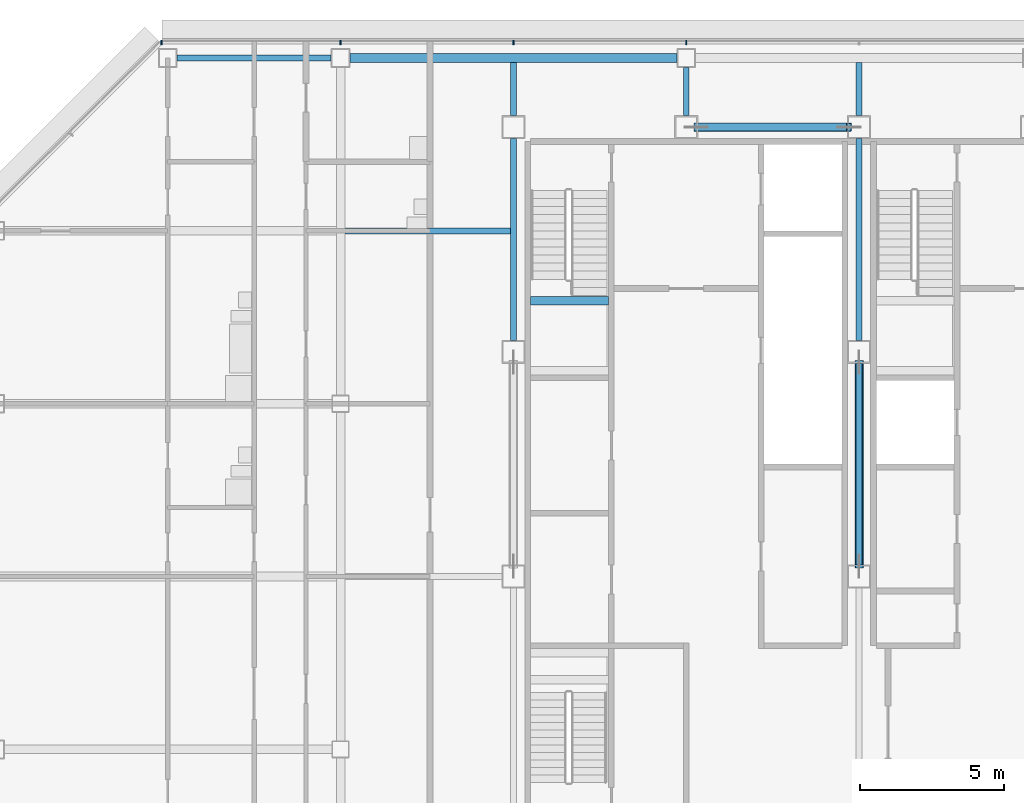
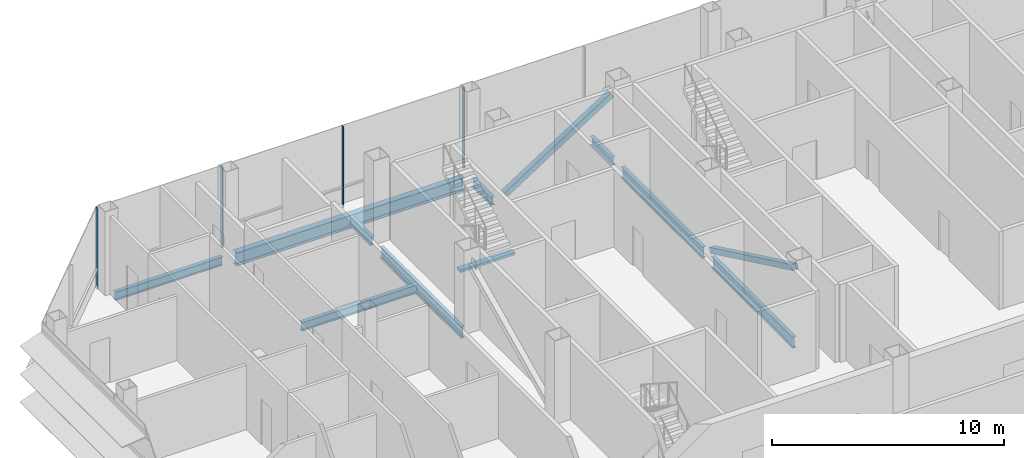
# One storey, part 13 of 30: 10 beams, 6 members, 1 element without a shape of its own.
"""IFC4 building model written with IfcOpenShell, lengths in metres."""

from ifc_helpers import new_model, si_unit, direction, frame, origin, origin_2d, place, context, subcontext, project, spatial, rectangle, hollow_rectangle, i_section, extrude, material, material_profile, profile_set, type_object, element, aggregate, save


model = new_model("IFC4")

# Units and contexts
model_context = context("Model", 3, precision=1e-05, world=origin(), true_north=direction((0.0, 1.0)))
body_context = subcontext(model_context, "Body", "Model", "MODEL_VIEW")
ifc_project = project(units=[si_unit("LENGTHUNIT", "METRE"), si_unit("AREAUNIT", "SQUARE_METRE"), si_unit("VOLUMEUNIT", "CUBIC_METRE"), si_unit("PLANEANGLEUNIT", "RADIAN"), si_unit("MASSUNIT", "GRAM", prefix="KILO")], contexts=[model_context])

# Site, building, storey
site_placement = place(None, origin())
site = spatial("IfcSite", under=ifc_project, at=site_placement, CompositionType="ELEMENT")
building_placement = place(site_placement, origin())
building = spatial("IfcBuilding", under=site, at=building_placement, Name="Sorahane Residences", CompositionType="ELEMENT")
storey_placement = place(building_placement, frame((0.0, 0.0, 229.800048828125)))
storey = spatial("IfcBuildingStorey", under=building, at=storey_placement, Name="L54", CompositionType="ELEMENT", Elevation=229.800048828125)

# Members
ifc_material_1 = material(Name="Steel Q355B", Category="steel")
ifc_material_profile_1 = material_profile(ifc_material_1, hollow_rectangle(XDim=0.300048828125, YDim=0.300048828125, WallThickness=0.01611328125, InnerFilletRadius=0.008056640625, OuterFilletRadius=0.02392578125, at=origin_2d()), Name="RHS 300x300x16")
ifc_profile_set_1 = profile_set([ifc_material_profile_1], Name="Steel Q355B")
member_type_1 = type_object("IfcMemberType", Name="Core brace RHS 300x300x16 Q355B", PredefinedType="BRACE", material=ifc_profile_set_1)
member_1_placement = place(storey_placement, frame((12.351318359375, 45.60009765625, 0.11865234375), z_axis=(0.840661975087, 0.0, 0.541560193924), x_axis=(0.0, 1.0, 0.0)))
element("IfcMember", 1, at=member_1_placement, inside=storey, type_object=member_type_1, Name="Core brace L54 y45.6-2", PredefinedType="BRACE", context=body_context, shape_type="SweptSolid", body=[
    extrude(hollow_rectangle(XDim=0.300048828125, YDim=0.300048828125, WallThickness=0.01611328125, InnerFilletRadius=0.008056640625, OuterFilletRadius=0.02392578125, at=origin_2d()), origin(), (0.0, 0.0, 1.0), 6.301513671875),
])
member_2_placement = place(storey_placement, frame((18.0, 37.43896484375, 0.13134765625), z_axis=(0.0, -0.902028358747, 0.43167677725), x_axis=(1.0, 0.0, 0.0)))
element("IfcMember", 2, at=member_2_placement, inside=storey, type_object=member_type_1, Name="Core brace L54 x18-1", PredefinedType="BRACE", context=body_context, shape_type="SweptSolid", body=[
    extrude(hollow_rectangle(XDim=0.300048828125, YDim=0.300048828125, WallThickness=0.01611328125, InnerFilletRadius=0.008056640625, OuterFilletRadius=0.02392578125, at=origin_2d()), origin(), (0.0, 0.0, 1.0), 7.8466796875),
])

# Curtain wall, members
ifc_material_2 = material(Name="Dark low-e glass and black anodised aluminium", Category="aluminium")
curtain_wall_type = type_object("IfcCurtainWallType", Name="Curtain wall CW-1 Typical unitised wall", PredefinedType="NOTDEFINED", material=ifc_material_2)
curtain_wall_placement = place(storey_placement, origin())
curtain_wall = element("IfcCurtainWall", 3, at=curtain_wall_placement, inside=storey, type_object=curtain_wall_type, Name="CW-1 curtain wall L54 N2", PredefinedType="NOTDEFINED")
ifc_material_3 = material(Name="Black anodised aluminium", Category="aluminium")
ifc_material_profile_2 = material_profile(ifc_material_3, rectangle(XDim=0.159912109375, YDim=0.050048828125, at=origin_2d()), Name="Curtain wall mullion CW-1 black anodised aluminium 50x160")
ifc_profile_set_2 = profile_set([ifc_material_profile_2], Name="Black anodised aluminium")
member_type_2 = type_object("IfcMemberType", Name="Curtain wall mullion CW-1 black anodised aluminium 50x160", PredefinedType="MULLION", material=ifc_profile_set_2)
member_3_placement = place(storey_placement, frame((12.0, 48.5400390625, -0.179931640625), z_axis=(0.0, 0.0, 1.0), x_axis=(0.0, 1.0, 0.0)))
member_3 = element("IfcMember", 4, at=member_3_placement, type_object=member_type_2, Name="CW-1 mullion L54 N2.7", PredefinedType="MULLION", context=body_context, shape_type="SweptSolid", body=[
    extrude(rectangle(XDim=0.159912109375, YDim=0.050048828125, at=origin_2d()), origin(), (0.0, 0.0, 1.0), 4.27978515625),
])
member_4_placement = place(storey_placement, frame((6.0, 48.5400390625, -0.179931640625), z_axis=(0.0, 0.0, 1.0), x_axis=(0.0, 1.0, 0.0)))
member_4 = element("IfcMember", 5, at=member_4_placement, type_object=member_type_2, Name="CW-1 mullion L54 N2.8", PredefinedType="MULLION", context=body_context, shape_type="SweptSolid", body=[
    extrude(rectangle(XDim=0.159912109375, YDim=0.050048828125, at=origin_2d()), origin(), (0.0, 0.0, 1.0), 4.27978515625),
])
member_5_placement = place(storey_placement, frame((0.0, 48.5400390625, -0.179931640625), z_axis=(0.0, 0.0, 1.0), x_axis=(0.0, 1.0, 0.0)))
member_5 = element("IfcMember", 6, at=member_5_placement, type_object=member_type_2, Name="CW-1 mullion L54 N2.9", PredefinedType="MULLION", context=body_context, shape_type="SweptSolid", body=[
    extrude(rectangle(XDim=0.159912109375, YDim=0.050048828125, at=origin_2d()), origin(), (0.0, 0.0, 1.0), 4.27978515625),
])
member_6_placement = place(storey_placement, frame((-6.2236328125, 48.5400390625, -0.179931640625), z_axis=(0.0, 0.0, 1.0), x_axis=(0.0, 1.0, 0.0)))
member_6 = element("IfcMember", 7, at=member_6_placement, type_object=member_type_2, Name="CW-1 mullion L54 N2.10", PredefinedType="MULLION", context=body_context, shape_type="SweptSolid", body=[
    extrude(rectangle(XDim=0.159912109375, YDim=0.050048828125, at=origin_2d()), origin(), (0.0, 0.0, 1.0), 4.27978515625),
])
aggregate(curtain_wall, [member_3, member_4, member_5, member_6])

# Beams
ifc_material_4 = material(Name="Concrete C40", Category="concrete")
ifc_material_profile_3 = material_profile(ifc_material_4, rectangle(XDim=0.300048828125, YDim=0.139892578125, at=origin_2d()), Name="300x140")
ifc_profile_set_3 = profile_set([ifc_material_profile_3], Name="Concrete C40")
beam_type_1 = type_object("IfcBeamType", Name="RC landing beam 300 x 140 Concrete C40", PredefinedType="BEAM", material=ifc_profile_set_3)
beam_1_placement = place(storey_placement, frame((6.60009765625, 39.570068359375, 1.7607421875), z_axis=(1.0, 0.0, 0.0), x_axis=(0.0, 1.0, 0.0)))
element("IfcBeam", 8, at=beam_1_placement, inside=storey, type_object=beam_type_1, Name="Landing beam", PredefinedType="BEAM", context=body_context, shape_type="SweptSolid", body=[
    extrude(rectangle(XDim=0.300048828125, YDim=0.139892578125, at=origin_2d()), origin(), (0.0, 0.0, 1.0), 2.699951171875),
])
ifc_material_5 = material(Name="Steel Q355B", Category="steel")
ifc_material_profile_4 = material_profile(ifc_material_5, i_section(OverallWidth=0.199951171875, OverallDepth=0.449951171875, WebThickness=0.009033203125, FlangeThickness=0.013916015625, FilletRadius=0.02001953125, at=origin_2d()), Name="HN 450x200x9x14")
ifc_profile_set_4 = profile_set([ifc_material_profile_4], Name="Steel Q355B")
beam_type_2 = type_object("IfcBeamType", Name="Steel floor beam HN 450x200x9x14 Q355B", PredefinedType="BEAM", material=ifc_profile_set_4)
beam_2_placement = place(storey_placement, frame((-5.675048828125, 48.0, -0.405029296875), z_axis=(1.0, 0.0, 0.0), x_axis=(0.0, 1.0, 0.0)))
element("IfcBeam", 9, at=beam_2_placement, inside=storey, type_object=beam_type_2, Name="Beam L54 015", PredefinedType="BEAM", context=body_context, shape_type="SweptSolid", body=[
    extrude(i_section(OverallWidth=0.199951171875, OverallDepth=0.449951171875, WebThickness=0.009033203125, FlangeThickness=0.013916015625, FilletRadius=0.02001953125, at=origin_2d()), origin(), (0.0, 0.0, 1.0), 5.35009765625),
])
beam_3_placement = place(storey_placement, frame((6.0, 46.0, -0.405029296875), z_axis=(0.0, 1.0, 0.0), x_axis=(-1.0, 0.0, 0.0)))
element("IfcBeam", 10, at=beam_3_placement, inside=storey, type_object=beam_type_2, Name="Beam L54 033", PredefinedType="BEAM", context=body_context, shape_type="SweptSolid", body=[
    extrude(i_section(OverallWidth=0.199951171875, OverallDepth=0.449951171875, WebThickness=0.009033203125, FlangeThickness=0.013916015625, FilletRadius=0.02001953125, at=origin_2d()), origin(), (0.0, 0.0, 1.0), 1.85009765625),
])
beam_4_placement = place(storey_placement, frame((12.0, 46.0, -0.405029296875), z_axis=(0.0, 1.0, 0.0), x_axis=(-1.0, 0.0, 0.0)))
element("IfcBeam", 11, at=beam_4_placement, inside=storey, type_object=beam_type_2, Name="Beam L54 035", PredefinedType="BEAM", context=body_context, shape_type="SweptSolid", body=[
    extrude(i_section(OverallWidth=0.199951171875, OverallDepth=0.449951171875, WebThickness=0.009033203125, FlangeThickness=0.013916015625, FilletRadius=0.02001953125, at=origin_2d()), origin(), (0.0, 0.0, 1.0), 1.675048828125),
])
beam_5_placement = place(storey_placement, frame((18.0, 46.0, -0.405029296875), z_axis=(0.0, 1.0, 0.0), x_axis=(-1.0, 0.0, 0.0)))
element("IfcBeam", 12, at=beam_5_placement, inside=storey, type_object=beam_type_2, Name="Beam L54 041", PredefinedType="BEAM", context=body_context, shape_type="SweptSolid", body=[
    extrude(i_section(OverallWidth=0.199951171875, OverallDepth=0.449951171875, WebThickness=0.009033203125, FlangeThickness=0.013916015625, FilletRadius=0.02001953125, at=origin_2d()), origin(), (0.0, 0.0, 1.0), 1.85009765625),
])
beam_6_placement = place(storey_placement, frame((0.14990234375, 42.0, -0.405029296875), z_axis=(1.0, 0.0, 0.0), x_axis=(0.0, 1.0, 0.0)))
element("IfcBeam", 13, at=beam_6_placement, inside=storey, type_object=beam_type_2, Name="Beam L54 088", PredefinedType="BEAM", context=body_context, shape_type="SweptSolid", body=[
    extrude(i_section(OverallWidth=0.199951171875, OverallDepth=0.449951171875, WebThickness=0.009033203125, FlangeThickness=0.013916015625, FilletRadius=0.02001953125, at=origin_2d()), origin(), (0.0, 0.0, 1.0), 5.75),
])
ifc_material_6 = material(Name="Steel Q355B", Category="steel")
ifc_material_profile_5 = material_profile(ifc_material_6, i_section(OverallWidth=0.199951171875, OverallDepth=0.60009765625, WebThickness=0.010986328125, FlangeThickness=0.01708984375, FilletRadius=0.02392578125, at=origin_2d()), Name="HN 600x200x11x17")
ifc_profile_set_5 = profile_set([ifc_material_profile_5], Name="Steel Q355B")
beam_type_3 = type_object("IfcBeamType", Name="Steel floor beam HN 600x200x11x17 Q355B", PredefinedType="BEAM", material=ifc_profile_set_5)
for number, where, z_axis, x_axis, name in (
    (14, (6.0, 38.199951171875, -0.47998046875), (0.0, 1.0, 0.0), (-1.0, 0.0, 0.0), "Beam L54 032"),
    (15, (18.0, 30.39990234375, -0.47998046875), (0.0, 1.0, 0.0), (-1.0, 0.0, 0.0), "Beam L54 039"),
    (16, (18.0, 38.199951171875, -0.47998046875), (0.0, 1.0, 0.0), (-1.0, 0.0, 0.0), "Beam L54 040"),
):
    element("IfcBeam", number, at=place(storey_placement, frame(where, z_axis=z_axis, x_axis=x_axis)), inside=storey, type_object=beam_type_3, Name=name, PredefinedType="BEAM", context=body_context, shape_type="SweptSolid", body=[
        extrude(i_section(OverallWidth=0.199951171875, OverallDepth=0.60009765625, WebThickness=0.010986328125, FlangeThickness=0.01708984375, FilletRadius=0.02392578125, at=origin_2d()), origin(), (0.0, 0.0, 1.0), 7.0),
    ])
ifc_material_7 = material(Name="Steel Q355B", Category="steel")
ifc_material_profile_6 = material_profile(ifc_material_7, i_section(OverallWidth=0.300048828125, OverallDepth=0.699951171875, WebThickness=0.012939453125, FlangeThickness=0.02392578125, FilletRadius=0.028076171875, at=origin_2d()), Name="HN 700x300x13x24")
ifc_profile_set_6 = profile_set([ifc_material_profile_6], Name="Steel Q355B")
beam_type_4 = type_object("IfcBeamType", Name="Steel floor beam HN 700x300x13x24 Q355B", PredefinedType="BEAM", material=ifc_profile_set_6)
beam_7_placement = place(storey_placement, frame((0.324951171875, 48.0, -0.530029296875), z_axis=(1.0, 0.0, 0.0), x_axis=(0.0, 1.0, 0.0)))
element("IfcBeam", 17, at=beam_7_placement, inside=storey, type_object=beam_type_4, Name="Beam L54 016", PredefinedType="BEAM", context=body_context, shape_type="SweptSolid", body=[
    extrude(i_section(OverallWidth=0.300048828125, OverallDepth=0.699951171875, WebThickness=0.012939453125, FlangeThickness=0.02392578125, FilletRadius=0.028076171875, at=origin_2d()), origin(), (0.0, 0.0, 1.0), 11.35009765625),
])

save(model, "model.ifc")
